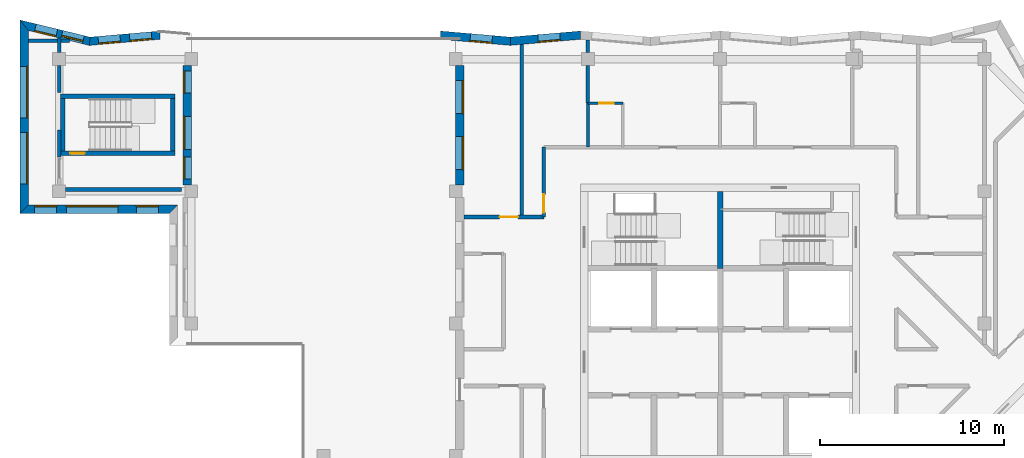
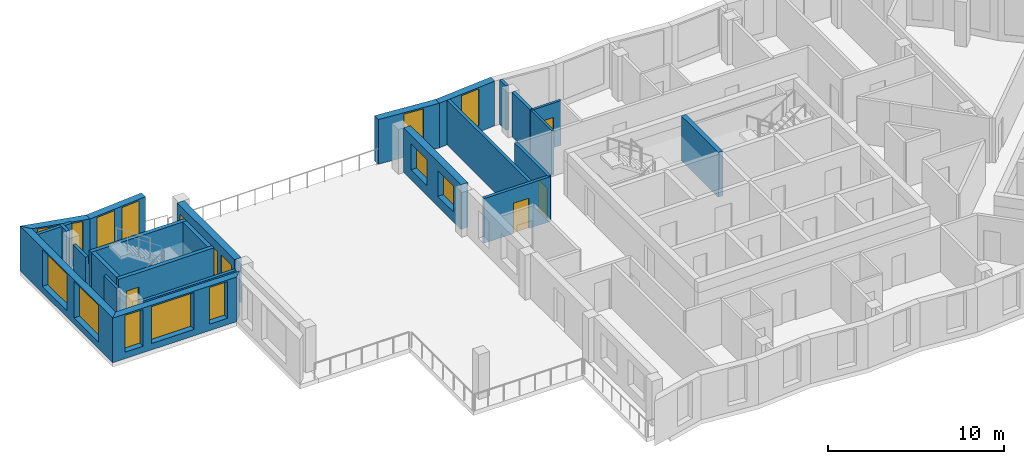
# One storey, part 5 of 12: 25 walls, 16 windows, 4 doors, 20 openings.
"""IFC4 building model written with IfcOpenShell, lengths in metres."""

from ifc_helpers import new_model, si_unit, direction, frame, frame_2d, origin, place, context, subcontext, project, spatial, polyline, rectangle, outline, extrude, material, layer, layer_set, type_object, element, fill, save


model = new_model("IFC4")

# Units and contexts
model_context = context("Model", 3, precision=1e-05, world=origin(), true_north=direction((0.0, 1.0)))
body_context = subcontext(model_context, "Body", "Model", "MODEL_VIEW")
ifc_project = project(units=[si_unit("LENGTHUNIT", "METRE"), si_unit("AREAUNIT", "SQUARE_METRE"), si_unit("VOLUMEUNIT", "CUBIC_METRE"), si_unit("PLANEANGLEUNIT", "RADIAN"), si_unit("MASSUNIT", "GRAM", prefix="KILO")], contexts=[model_context])

# Site, building, storey
site_placement = place(None, origin())
site = spatial("IfcSite", under=ifc_project, at=site_placement, CompositionType="ELEMENT")
building_placement = place(site_placement, origin())
building = spatial("IfcBuilding", under=site, at=building_placement, Name="Windrow Commons", CompositionType="ELEMENT")
storey_placement = place(building_placement, frame((0.0, 0.0, 247.2)))
storey = spatial("IfcBuildingStorey", under=building, at=storey_placement, Name="L67", CompositionType="ELEMENT", Elevation=247.2)

# Wall, opening, window
ifc_material_1 = material(Name="Brick masonry, red clay brick", Category="masonry")
ifc_layer_1 = layer(ifc_material_1, 0.45)
ifc_layer_set_1 = layer_set([ifc_layer_1], Name="Brick facade wall 450")
wall_type_1 = type_object("IfcWallType", Name="Brick facade wall 450", PredefinedType="SOLIDWALL", material=ifc_layer_set_1)
wall_1_placement = place(storey_placement, frame((57.1913, 73.3042, 0.0), z_axis=(0.0, 0.0, 1.0), x_axis=(-0.9962798769, -0.0861766033, 0.0)))
wall_1 = element("IfcWall", 1, at=wall_1_placement, inside=storey, type_object=wall_type_1, Name="Brick facade wall L67 23", PredefinedType="SOLIDWALL", context=body_context, shape_type="SweptSolid", body=[
    extrude(outline(polyline([(-0.0195, -0.225), (3.8099, -0.225), (3.8489, 0.225), (0.0195, 0.225), (-0.0195, -0.225)])), origin(), (0.0, 0.0, 1.0), 3.1),
])
opening_1_placement = place(wall_1_placement, frame((1.1114, 0.0, 0.45)))
opening_1 = element("IfcOpeningElement", 2, at=opening_1_placement, cuts=wall_1, Name="Opening W7F", PredefinedType="OPENING", context=body_context, shape_type="SweptSolid", body=[
    extrude(rectangle(XDim=1.2, YDim=2.55, at=frame_2d((0.6, 1.275))), frame((0.0, 0.235, 0.0), z_axis=(0.0, -1.0, 0.0), x_axis=(1.0, 0.0, 0.0)), (0.0, 0.0, 1.0), 0.47),
])
ifc_material_2 = material(Name="Clear float glass in anodised aluminium frame", Category="aluminium")
window_type_1 = type_object("IfcWindowType", Name="Window W7 notch 1200x2550", PartitioningType="SINGLE_PANEL", PredefinedType="WINDOW", material=ifc_material_2)
window_1_placement = place(opening_1_placement, origin())
window_1 = element("IfcWindow", 3, at=window_1_placement, inside=storey, type_object=window_type_1, Name="Window L67 23.1", OverallHeight=2.55, OverallWidth=1.2, PartitioningType="SINGLE_PANEL", PredefinedType="WINDOW", context=body_context, shape_type="SweptSolid", body=[
    extrude(rectangle(XDim=1.2, YDim=2.55, at=frame_2d((0.6, 1.275))), frame((0.0, 0.205, 0.0), z_axis=(0.0, -1.0, 0.0), x_axis=(1.0, 0.0, 0.0)), (0.0, 0.0, 1.0), 0.06),
])
fill(opening_1, window_1)

wall_2_placement = place(storey_placement, frame((53.3762, 72.9742, 0.0), z_axis=(0.0, 0.0, 1.0), x_axis=(-0.9962800708, 0.0861743613, 0.0)))
wall_2 = element("IfcWall", 4, at=wall_2_placement, inside=storey, type_object=wall_type_1, Name="Brick facade wall L67 24", PredefinedType="SOLIDWALL", context=body_context, shape_type="SweptSolid", body=[
    extrude(outline(polyline([(0.0195, -0.225), (3.8489, -0.225), (3.8099, 0.225), (-0.0195, 0.225), (0.0195, -0.225)])), origin(), (0.0, 0.0, 1.0), 3.1),
])
opening_2_placement = place(wall_2_placement, frame((0.9936, 0.0, 0.45)))
opening_2 = element("IfcOpeningElement", 5, at=opening_2_placement, cuts=wall_2, Name="Opening W7F", PredefinedType="OPENING", context=body_context, shape_type="SweptSolid", body=[
    extrude(rectangle(XDim=1.2, YDim=2.55, at=frame_2d((0.6, 1.275))), frame((0.0, 0.235, 0.0), z_axis=(0.0, -1.0, 0.0), x_axis=(1.0, 0.0, 0.0)), (0.0, 0.0, 1.0), 0.47),
])
window_2_placement = place(opening_2_placement, origin())
window_2 = element("IfcWindow", 6, at=window_2_placement, inside=storey, type_object=window_type_1, Name="Window L67 24.1", OverallHeight=2.55, OverallWidth=1.2, PartitioningType="SINGLE_PANEL", PredefinedType="WINDOW", context=body_context, shape_type="SweptSolid", body=[
    extrude(rectangle(XDim=1.2, YDim=2.55, at=frame_2d((0.6, 1.275))), frame((0.0, 0.205, 0.0), z_axis=(0.0, -1.0, 0.0), x_axis=(1.0, 0.0, 0.0)), (0.0, 0.0, 1.0), 0.06),
])
fill(opening_2, window_2)

# Wall, openings, windows
wall_3_placement = place(storey_placement, frame((34.3003, 73.3042, 0.0), z_axis=(0.0, 0.0, 1.0), x_axis=(-0.9962799901, -0.0861752946, 0.0)))
wall_3 = element("IfcWall", 7, at=wall_3_placement, inside=storey, type_object=wall_type_1, Name="Brick facade wall L67 29", PredefinedType="SOLIDWALL", context=body_context, shape_type="SweptSolid", body=[
    extrude(outline(polyline([(-0.0195, -0.225), (3.8099, -0.225), (3.8838, 0.225), (0.0195, 0.225), (-0.0195, -0.225)])), origin(), (0.0, 0.0, 1.0), 3.1),
])
opening_3_placement = place(wall_3_placement, frame((0.4634, 0.0, 0.45)))
opening_3 = element("IfcOpeningElement", 8, at=opening_3_placement, cuts=wall_3, Name="Opening W7F", PredefinedType="OPENING", context=body_context, shape_type="SweptSolid", body=[
    extrude(rectangle(XDim=1.2, YDim=2.55, at=frame_2d((0.6, 1.275))), frame((0.0, 0.235, 0.0), z_axis=(0.0, -1.0, 0.0), x_axis=(1.0, 0.0, 0.0)), (0.0, 0.0, 1.0), 0.47),
])
opening_4_placement = place(wall_3_placement, frame((2.1772, 0.0, 0.45)))
opening_4 = element("IfcOpeningElement", 9, at=opening_4_placement, cuts=wall_3, Name="Opening W7F", PredefinedType="OPENING", context=body_context, shape_type="SweptSolid", body=[
    extrude(rectangle(XDim=1.2, YDim=2.55, at=frame_2d((0.6, 1.275))), frame((0.0, 0.235, 0.0), z_axis=(0.0, -1.0, 0.0), x_axis=(1.0, 0.0, 0.0)), (0.0, 0.0, 1.0), 0.47),
])
window_3_placement = place(opening_3_placement, origin())
window_3 = element("IfcWindow", 10, at=window_3_placement, inside=storey, type_object=window_type_1, Name="Window L67 29.1", OverallHeight=2.55, OverallWidth=1.2, PartitioningType="SINGLE_PANEL", PredefinedType="WINDOW", context=body_context, shape_type="SweptSolid", body=[
    extrude(rectangle(XDim=1.2, YDim=2.55, at=frame_2d((0.6, 1.275))), frame((0.0, 0.205, 0.0), z_axis=(0.0, -1.0, 0.0), x_axis=(1.0, 0.0, 0.0)), (0.0, 0.0, 1.0), 0.06),
])
fill(opening_3, window_3)
window_4_placement = place(opening_4_placement, origin())
window_4 = element("IfcWindow", 11, at=window_4_placement, inside=storey, type_object=window_type_1, Name="Window L67 29.2", OverallHeight=2.55, OverallWidth=1.2, PartitioningType="SINGLE_PANEL", PredefinedType="WINDOW", context=body_context, shape_type="SweptSolid", body=[
    extrude(rectangle(XDim=1.2, YDim=2.55, at=frame_2d((0.6, 1.275))), frame((0.0, 0.205, 0.0), z_axis=(0.0, -1.0, 0.0), x_axis=(1.0, 0.0, 0.0)), (0.0, 0.0, 1.0), 0.06),
])
fill(opening_4, window_4)

wall_4_placement = place(storey_placement, frame((30.4678, 72.9727, 0.0), z_axis=(0.0, 0.0, 1.0), x_axis=(-0.9715525461, 0.236824091, 0.0)))
wall_4 = element("IfcWall", 12, at=wall_4_placement, inside=storey, type_object=wall_type_1, Name="Brick facade wall L67 30", PredefinedType="SOLIDWALL", context=body_context, shape_type="SweptSolid", body=[
    extrude(outline(polyline([(0.0369, -0.225), (3.9638, -0.225), (3.3909, 0.225), (-0.0369, 0.225), (0.0369, -0.225)])), origin(), (0.0, 0.0, 1.0), 3.1),
])
opening_5_placement = place(wall_4_placement, frame((0.3583, 0.0, 0.45)))
opening_5 = element("IfcOpeningElement", 13, at=opening_5_placement, cuts=wall_4, Name="Opening W7F", PredefinedType="OPENING", context=body_context, shape_type="SweptSolid", body=[
    extrude(rectangle(XDim=1.2, YDim=2.55, at=frame_2d((0.6, 1.275))), frame((0.0, 0.235, 0.0), z_axis=(0.0, -1.0, 0.0), x_axis=(1.0, 0.0, 0.0)), (0.0, 0.0, 1.0), 0.47),
])
opening_6_placement = place(wall_4_placement, frame((1.8538, 0.0, 0.45)))
opening_6 = element("IfcOpeningElement", 14, at=opening_6_placement, cuts=wall_4, Name="Opening W7F", PredefinedType="OPENING", context=body_context, shape_type="SweptSolid", body=[
    extrude(rectangle(XDim=1.2, YDim=2.55, at=frame_2d((0.6, 1.275))), frame((0.0, 0.235, 0.0), z_axis=(0.0, -1.0, 0.0), x_axis=(1.0, 0.0, 0.0)), (0.0, 0.0, 1.0), 0.47),
])
window_5_placement = place(opening_5_placement, origin())
window_5 = element("IfcWindow", 15, at=window_5_placement, inside=storey, type_object=window_type_1, Name="Window L67 30.1", OverallHeight=2.55, OverallWidth=1.2, PartitioningType="SINGLE_PANEL", PredefinedType="WINDOW", context=body_context, shape_type="SweptSolid", body=[
    extrude(rectangle(XDim=1.2, YDim=2.55, at=frame_2d((0.6, 1.275))), frame((0.0, 0.105, 0.0), z_axis=(0.0, -1.0, 0.0), x_axis=(1.0, 0.0, 0.0)), (0.0, 0.0, 1.0), 0.06),
])
fill(opening_5, window_5)
window_6_placement = place(opening_6_placement, origin())
window_6 = element("IfcWindow", 16, at=window_6_placement, inside=storey, type_object=window_type_1, Name="Window L67 30.2", OverallHeight=2.55, OverallWidth=1.2, PartitioningType="SINGLE_PANEL", PredefinedType="WINDOW", context=body_context, shape_type="SweptSolid", body=[
    extrude(rectangle(XDim=1.2, YDim=2.55, at=frame_2d((0.6, 1.275))), frame((0.0, 0.205, 0.0), z_axis=(0.0, -1.0, 0.0), x_axis=(1.0, 0.0, 0.0)), (0.0, 0.0, 1.0), 0.06),
])
fill(opening_6, window_6)

wall_5_placement = place(storey_placement, frame((26.895, 73.8436, 0.0), z_axis=(0.0, 0.0, 1.0), x_axis=(0.0, -1.0, 0.0)))
wall_5 = element("IfcWall", 17, at=wall_5_placement, inside=storey, type_object=wall_type_1, Name="Brick facade wall L67 31", PredefinedType="SOLIDWALL", context=body_context, shape_type="SweptSolid", body=[
    extrude(outline(polyline([(-0.2864, -0.225), (10.2436, -0.225), (9.7936, 0.225), (0.2864, 0.225), (-0.2864, -0.225)])), origin(), (0.0, 0.0, 1.0), 3.1),
])
opening_7_placement = place(wall_5_placement, frame((2.2436, 0.0, 0.45)))
opening_7 = element("IfcOpeningElement", 18, at=opening_7_placement, cuts=wall_5, Name="Opening W1V", PredefinedType="OPENING", context=body_context, shape_type="SweptSolid", body=[
    extrude(rectangle(XDim=2.8, YDim=2.55, at=frame_2d((1.4, 1.275))), frame((0.0, 0.235, 0.0), z_axis=(0.0, -1.0, 0.0), x_axis=(1.0, 0.0, 0.0)), (0.0, 0.0, 1.0), 0.47),
])
opening_8_placement = place(wall_5_placement, frame((5.8436, 0.0, 0.45)))
opening_8 = element("IfcOpeningElement", 19, at=opening_8_placement, cuts=wall_5, Name="Opening W1V", PredefinedType="OPENING", context=body_context, shape_type="SweptSolid", body=[
    extrude(rectangle(XDim=2.8, YDim=2.55, at=frame_2d((1.4, 1.275))), frame((0.0, 0.235, 0.0), z_axis=(0.0, -1.0, 0.0), x_axis=(1.0, 0.0, 0.0)), (0.0, 0.0, 1.0), 0.47),
])
ifc_material_3 = material(Name="Clear float glass in anodised aluminium frame", Category="aluminium")
window_type_2 = type_object("IfcWindowType", Name="Window W1V bedroom 2800x2550", PartitioningType="SINGLE_PANEL", PredefinedType="WINDOW", material=ifc_material_3)
window_7_placement = place(opening_7_placement, origin())
window_7 = element("IfcWindow", 20, at=window_7_placement, inside=storey, type_object=window_type_2, Name="Window L67 31.1", OverallHeight=2.55, OverallWidth=2.8, PartitioningType="SINGLE_PANEL", PredefinedType="WINDOW", context=body_context, shape_type="SweptSolid", body=[
    extrude(rectangle(XDim=2.8, YDim=2.55, at=frame_2d((1.4, 1.275))), frame((0.0, 0.205, 0.0), z_axis=(0.0, -1.0, 0.0), x_axis=(1.0, 0.0, 0.0)), (0.0, 0.0, 1.0), 0.06),
])
fill(opening_7, window_7)
window_8_placement = place(opening_8_placement, origin())
window_8 = element("IfcWindow", 21, at=window_8_placement, inside=storey, type_object=window_type_2, Name="Window L67 31.2", OverallHeight=2.55, OverallWidth=2.8, PartitioningType="SINGLE_PANEL", PredefinedType="WINDOW", context=body_context, shape_type="SweptSolid", body=[
    extrude(rectangle(XDim=2.8, YDim=2.55, at=frame_2d((1.4, 1.275))), frame((0.0, 0.205, 0.0), z_axis=(0.0, -1.0, 0.0), x_axis=(1.0, 0.0, 0.0)), (0.0, 0.0, 1.0), 0.06),
])
fill(opening_8, window_8)

wall_6_placement = place(storey_placement, frame((26.895, 63.825, 0.0), z_axis=(0.0, 0.0, 1.0), x_axis=(1.0, 0.0, 0.0)))
wall_6 = element("IfcWall", 22, at=wall_6_placement, inside=storey, type_object=wall_type_1, Name="Brick facade wall L67 32", PredefinedType="SOLIDWALL", context=body_context, shape_type="SweptSolid", body=[
    extrude(outline(polyline([(-0.225, -0.225), (7.905, -0.225), (8.355, 0.225), (0.225, 0.225), (-0.225, -0.225)])), origin(), (0.0, 0.0, 1.0), 3.1),
])
opening_9_placement = place(wall_6_placement, frame((2.305, 0.0, 0.45)))
opening_9 = element("IfcOpeningElement", 23, at=opening_9_placement, cuts=wall_6, Name="Opening W1V", PredefinedType="OPENING", context=body_context, shape_type="SweptSolid", body=[
    extrude(rectangle(XDim=2.8, YDim=2.55, at=frame_2d((1.4, 1.275))), frame((0.0, 0.235, 0.0), z_axis=(0.0, -1.0, 0.0), x_axis=(1.0, 0.0, 0.0)), (0.0, 0.0, 1.0), 0.47),
])
opening_10_placement = place(wall_6_placement, frame((0.565, 0.0, 0.45)))
opening_10 = element("IfcOpeningElement", 24, at=opening_10_placement, cuts=wall_6, Name="Opening W7F", PredefinedType="OPENING", context=body_context, shape_type="SweptSolid", body=[
    extrude(rectangle(XDim=1.2, YDim=2.55, at=frame_2d((0.6, 1.275))), frame((0.0, 0.235, 0.0), z_axis=(0.0, -1.0, 0.0), x_axis=(1.0, 0.0, 0.0)), (0.0, 0.0, 1.0), 0.47),
])
opening_11_placement = place(wall_6_placement, frame((6.1175, 0.0, 0.45)))
opening_11 = element("IfcOpeningElement", 25, at=opening_11_placement, cuts=wall_6, Name="Opening W7F", PredefinedType="OPENING", context=body_context, shape_type="SweptSolid", body=[
    extrude(rectangle(XDim=1.2, YDim=2.55, at=frame_2d((0.6, 1.275))), frame((0.0, 0.235, 0.0), z_axis=(0.0, -1.0, 0.0), x_axis=(1.0, 0.0, 0.0)), (0.0, 0.0, 1.0), 0.47),
])
window_9_placement = place(opening_9_placement, origin())
window_9 = element("IfcWindow", 26, at=window_9_placement, inside=storey, type_object=window_type_2, Name="Window L67 32.1", OverallHeight=2.55, OverallWidth=2.8, PartitioningType="SINGLE_PANEL", PredefinedType="WINDOW", context=body_context, shape_type="SweptSolid", body=[
    extrude(rectangle(XDim=2.8, YDim=2.55, at=frame_2d((1.4, 1.275))), frame((0.0, 0.205, 0.0), z_axis=(0.0, -1.0, 0.0), x_axis=(1.0, 0.0, 0.0)), (0.0, 0.0, 1.0), 0.06),
])
fill(opening_9, window_9)
window_10_placement = place(opening_10_placement, origin())
window_10 = element("IfcWindow", 27, at=window_10_placement, inside=storey, type_object=window_type_1, Name="Window L67 32.2", OverallHeight=2.55, OverallWidth=1.2, PartitioningType="SINGLE_PANEL", PredefinedType="WINDOW", context=body_context, shape_type="SweptSolid", body=[
    extrude(rectangle(XDim=1.2, YDim=2.55, at=frame_2d((0.6, 1.275))), frame((0.0, 0.205, 0.0), z_axis=(0.0, -1.0, 0.0), x_axis=(1.0, 0.0, 0.0)), (0.0, 0.0, 1.0), 0.06),
])
fill(opening_10, window_10)
window_11_placement = place(opening_11_placement, origin())
window_11 = element("IfcWindow", 28, at=window_11_placement, inside=storey, type_object=window_type_1, Name="Window L67 32.3", OverallHeight=2.55, OverallWidth=1.2, PartitioningType="SINGLE_PANEL", PredefinedType="WINDOW", context=body_context, shape_type="SweptSolid", body=[
    extrude(rectangle(XDim=1.2, YDim=2.55, at=frame_2d((0.6, 1.275))), frame((0.0, 0.205, 0.0), z_axis=(0.0, -1.0, 0.0), x_axis=(1.0, 0.0, 0.0)), (0.0, 0.0, 1.0), 0.06),
])
fill(opening_11, window_11)

wall_7_placement = place(storey_placement, frame((35.775, 65.15, 0.0), z_axis=(0.0, 0.0, 1.0), x_axis=(0.0, 1.0, 0.0)))
wall_7 = element("IfcWall", 29, at=wall_7_placement, inside=storey, type_object=wall_type_1, Name="Brick portal return L67 5.2", PredefinedType="SOLIDWALL", context=body_context, shape_type="SweptSolid", body=[
    extrude(rectangle(XDim=6.5, YDim=0.45, at=frame_2d((3.25, 0.0))), origin(), (0.0, 0.0, 1.0), 3.1),
])
opening_12_placement = place(wall_7_placement, frame((0.325, 0.0, 0.6)))
opening_12 = element("IfcOpeningElement", 30, at=opening_12_placement, cuts=wall_7, Name="Opening W7G", PredefinedType="OPENING", context=body_context, shape_type="SweptSolid", body=[
    extrude(rectangle(XDim=1.2, YDim=1.9, at=frame_2d((0.6, 0.95))), frame((0.0, 0.235, 0.0), z_axis=(0.0, -1.0, 0.0), x_axis=(1.0, 0.0, 0.0)), (0.0, 0.0, 1.0), 0.47),
])
opening_13_placement = place(wall_7_placement, frame((1.9375, 0.0, 0.7)))
opening_13 = element("IfcOpeningElement", 31, at=opening_13_placement, cuts=wall_7, Name="Opening W8", PredefinedType="OPENING", context=body_context, shape_type="SweptSolid", body=[
    extrude(rectangle(XDim=1.8, YDim=1.8, at=frame_2d((0.9, 0.9))), frame((0.0, 0.235, 0.0), z_axis=(0.0, -1.0, 0.0), x_axis=(1.0, 0.0, 0.0)), (0.0, 0.0, 1.0), 0.47),
])
opening_14_placement = place(wall_7_placement, frame((5.0, 0.0, 0.6)))
opening_14 = element("IfcOpeningElement", 32, at=opening_14_placement, cuts=wall_7, Name="Opening W7G", PredefinedType="OPENING", context=body_context, shape_type="SweptSolid", body=[
    extrude(rectangle(XDim=1.2, YDim=1.9, at=frame_2d((0.6, 0.95))), frame((0.0, 0.235, 0.0), z_axis=(0.0, -1.0, 0.0), x_axis=(1.0, 0.0, 0.0)), (0.0, 0.0, 1.0), 0.47),
])
ifc_material_4 = material(Name="Clear float glass in anodised aluminium frame", Category="aluminium")
window_type_3 = type_object("IfcWindowType", Name="Window W7 notch 1200x1900", PartitioningType="SINGLE_PANEL", PredefinedType="WINDOW", material=ifc_material_4)
window_12_placement = place(opening_12_placement, origin())
window_12 = element("IfcWindow", 33, at=window_12_placement, inside=storey, type_object=window_type_3, Name="Window L67 portal 5.2.1A", OverallHeight=1.9, OverallWidth=1.2, PartitioningType="SINGLE_PANEL", PredefinedType="WINDOW", context=body_context, shape_type="SweptSolid", body=[
    extrude(rectangle(XDim=1.2, YDim=1.9, at=frame_2d((0.6, 0.95))), frame((0.0, 0.205, 0.0), z_axis=(0.0, -1.0, 0.0), x_axis=(1.0, 0.0, 0.0)), (0.0, 0.0, 1.0), 0.06),
])
fill(opening_12, window_12)
window_13_placement = place(opening_14_placement, origin())
window_13 = element("IfcWindow", 34, at=window_13_placement, inside=storey, type_object=window_type_3, Name="Window L67 portal 5.2.2A", OverallHeight=1.9, OverallWidth=1.2, PartitioningType="SINGLE_PANEL", PredefinedType="WINDOW", context=body_context, shape_type="SweptSolid", body=[
    extrude(rectangle(XDim=1.2, YDim=1.9, at=frame_2d((0.6, 0.95))), frame((0.0, 0.205, 0.0), z_axis=(0.0, -1.0, 0.0), x_axis=(1.0, 0.0, 0.0)), (0.0, 0.0, 1.0), 0.06),
])
fill(opening_14, window_13)
ifc_material_5 = material(Name="Clear float glass in anodised aluminium frame", Category="aluminium")
window_type_4 = type_object("IfcWindowType", Name="Window W8 portal 1800x1800", PartitioningType="SINGLE_PANEL", PredefinedType="WINDOW", material=ifc_material_5)
window_14_placement = place(opening_13_placement, origin())
window_14 = element("IfcWindow", 35, at=window_14_placement, inside=storey, type_object=window_type_4, Name="Window L67 portal 5.2.1B", OverallHeight=1.8, OverallWidth=1.8, PartitioningType="SINGLE_PANEL", PredefinedType="WINDOW", context=body_context, shape_type="SweptSolid", body=[
    extrude(rectangle(XDim=1.8, YDim=1.8, at=frame_2d((0.9, 0.9))), frame((0.0, 0.205, 0.0), z_axis=(0.0, -1.0, 0.0), x_axis=(1.0, 0.0, 0.0)), (0.0, 0.0, 1.0), 0.06),
])
fill(opening_13, window_14)

wall_8_placement = place(storey_placement, frame((50.625, 71.65, 0.0), z_axis=(0.0, 0.0, 1.0), x_axis=(0.0, -1.0, 0.0)))
wall_8 = element("IfcWall", 36, at=wall_8_placement, inside=storey, type_object=wall_type_1, Name="Brick portal return L67 13", PredefinedType="SOLIDWALL", context=body_context, shape_type="SweptSolid", body=[
    extrude(rectangle(XDim=6.5, YDim=0.45, at=frame_2d((3.25, 0.0))), origin(), (0.0, 0.0, 1.0), 3.1),
])
opening_15_placement = place(wall_8_placement, frame((0.825, 0.0, 0.7)))
opening_15 = element("IfcOpeningElement", 37, at=opening_15_placement, cuts=wall_8, Name="Opening W8", PredefinedType="OPENING", context=body_context, shape_type="SweptSolid", body=[
    extrude(rectangle(XDim=1.8, YDim=1.8, at=frame_2d((0.9, 0.9))), frame((0.0, 0.235, 0.0), z_axis=(0.0, -1.0, 0.0), x_axis=(1.0, 0.0, 0.0)), (0.0, 0.0, 1.0), 0.47),
])
opening_16_placement = place(wall_8_placement, frame((3.875, 0.0, 0.7)))
opening_16 = element("IfcOpeningElement", 38, at=opening_16_placement, cuts=wall_8, Name="Opening W8", PredefinedType="OPENING", context=body_context, shape_type="SweptSolid", body=[
    extrude(rectangle(XDim=1.8, YDim=1.8, at=frame_2d((0.9, 0.9))), frame((0.0, 0.235, 0.0), z_axis=(0.0, -1.0, 0.0), x_axis=(1.0, 0.0, 0.0)), (0.0, 0.0, 1.0), 0.47),
])
window_15_placement = place(opening_15_placement, origin())
window_15 = element("IfcWindow", 39, at=window_15_placement, inside=storey, type_object=window_type_4, Name="Window L67 portal 13.1.1", OverallHeight=1.8, OverallWidth=1.8, PartitioningType="SINGLE_PANEL", PredefinedType="WINDOW", context=body_context, shape_type="SweptSolid", body=[
    extrude(rectangle(XDim=1.8, YDim=1.8, at=frame_2d((0.9, 0.9))), frame((0.0, 0.205, 0.0), z_axis=(0.0, -1.0, 0.0), x_axis=(1.0, 0.0, 0.0)), (0.0, 0.0, 1.0), 0.06),
])
fill(opening_15, window_15)
window_16_placement = place(opening_16_placement, origin())
window_16 = element("IfcWindow", 40, at=window_16_placement, inside=storey, type_object=window_type_4, Name="Window L67 portal 13.1.2", OverallHeight=1.8, OverallWidth=1.8, PartitioningType="SINGLE_PANEL", PredefinedType="WINDOW", context=body_context, shape_type="SweptSolid", body=[
    extrude(rectangle(XDim=1.8, YDim=1.8, at=frame_2d((0.9, 0.9))), frame((0.0, 0.205, 0.0), z_axis=(0.0, -1.0, 0.0), x_axis=(1.0, 0.0, 0.0)), (0.0, 0.0, 1.0), 0.06),
])
fill(opening_16, window_16)

# Wall
ifc_material_6 = material(Name="Blockwork partition", Category="masonry")
ifc_layer_2 = layer(ifc_material_6, 0.2)
ifc_layer_set_2 = layer_set([ifc_layer_2], Name="IW-CORRIDOR-200")
wall_type_2 = type_object("IfcWallType", Name="IW-CORRIDOR-200", PredefinedType="PARTITIONING", material=ifc_layer_set_2)
wall_9_placement = place(storey_placement, frame((29.15, 64.9, 0.0), z_axis=(0.0, 0.0, 1.0), x_axis=(1.0, 0.0, 0.0)))
element("IfcWall", 41, at=wall_9_placement, inside=storey, type_object=wall_type_2, Name="W-L67-W014", PredefinedType="PARTITIONING", context=body_context, shape_type="SweptSolid", body=[
    extrude(rectangle(XDim=6.32, YDim=0.2, at=frame_2d((3.16, 0.0))), origin(), (0.0, 0.0, 1.0), 2.6),
])

# Wall, opening, door
wall_10_placement = place(storey_placement, frame((50.85, 63.4, 0.0), z_axis=(0.0, 0.0, 1.0), x_axis=(1.0, 0.0, 0.0)))
wall_10 = element("IfcWall", 42, at=wall_10_placement, inside=storey, type_object=wall_type_2, Name="W-L67-W028", PredefinedType="PARTITIONING", context=body_context, shape_type="SweptSolid", body=[
    extrude(rectangle(XDim=4.35, YDim=0.2, at=frame_2d((2.175, 0.0))), origin(), (0.0, 0.0, 1.0), 3.1),
])
opening_17_placement = place(wall_10_placement, frame((1.9457, 0.0, 0.0)))
opening_17 = element("IfcOpeningElement", 43, at=opening_17_placement, cuts=wall_10, Name="Opening D310F", PredefinedType="OPENING", context=body_context, shape_type="SweptSolid", body=[
    extrude(rectangle(XDim=1.0, YDim=2.1, at=frame_2d((0.5, 1.05))), frame((0.0, 0.11, 0.0), z_axis=(0.0, -1.0, 0.0), x_axis=(1.0, 0.0, 0.0)), (0.0, 0.0, 1.0), 0.22),
])
ifc_material_7 = material(Name="Timber door leaf", Category="wood")
door_type_1 = type_object("IfcDoorType", Name="DT-AMENITY-1000", OperationType="SINGLE_SWING_LEFT", PredefinedType="DOOR", material=ifc_material_7)
door_1_placement = place(opening_17_placement, origin())
door_1 = element("IfcDoor", 44, at=door_1_placement, inside=storey, type_object=door_type_1, Name="D-L67-D009", OperationType="SINGLE_SWING_RIGHT", OverallHeight=2.1, OverallWidth=1.0, PredefinedType="DOOR", context=body_context, shape_type="SweptSolid", body=[
    extrude(rectangle(XDim=1.0, YDim=2.1, at=frame_2d((0.5, 1.05))), frame((0.0, 0.025, 0.0), z_axis=(0.0, -1.0, 0.0), x_axis=(1.0, 0.0, 0.0)), (0.0, 0.0, 1.0), 0.05),
])
fill(opening_17, door_1)

wall_11_placement = place(storey_placement, frame((55.2, 63.402, 0.0), z_axis=(0.0, 0.0, 1.0), x_axis=(0.0, 1.0, 0.0)))
wall_11 = element("IfcWall", 45, at=wall_11_placement, inside=storey, type_object=wall_type_2, Name="W-L67-W033", PredefinedType="PARTITIONING", context=body_context, shape_type="SweptSolid", body=[
    extrude(rectangle(XDim=3.798, YDim=0.2, at=frame_2d((1.899, 0.0))), origin(), (0.0, 0.0, 1.0), 3.1),
])
opening_18_placement = place(wall_11_placement, frame((0.2313, 0.0, 0.0)))
opening_18 = element("IfcOpeningElement", 46, at=opening_18_placement, cuts=wall_11, Name="Opening D310F", PredefinedType="OPENING", context=body_context, shape_type="SweptSolid", body=[
    extrude(rectangle(XDim=1.0, YDim=2.1, at=frame_2d((0.5, 1.05))), frame((0.0, 0.11, 0.0), z_axis=(0.0, -1.0, 0.0), x_axis=(1.0, 0.0, 0.0)), (0.0, 0.0, 1.0), 0.22),
])
door_2_placement = place(opening_18_placement, origin())
door_2 = element("IfcDoor", 47, at=door_2_placement, inside=storey, type_object=door_type_1, Name="D-L67-D010", OperationType="SINGLE_SWING_LEFT", OverallHeight=2.1, OverallWidth=1.0, PredefinedType="DOOR", context=body_context, shape_type="SweptSolid", body=[
    extrude(rectangle(XDim=1.0, YDim=2.1, at=frame_2d((0.5, 1.05))), frame((0.0, 0.025, 0.0), z_axis=(0.0, -1.0, 0.0), x_axis=(1.0, 0.0, 0.0)), (0.0, 0.0, 1.0), 0.05),
])
fill(opening_18, door_2)

# Walls
wall_12_placement = place(storey_placement, frame((28.8, 68.13, 0.0), z_axis=(0.0, 0.0, 1.0), x_axis=(0.0, -1.0, 0.0)))
element("IfcWall", 48, at=wall_12_placement, inside=storey, type_object=wall_type_2, Name="W-L67-W110", PredefinedType="PARTITIONING", context=body_context, shape_type="SweptSolid", body=[
    extrude(rectangle(XDim=1.474, YDim=0.2, at=frame_2d((0.737, 0.0))), origin(), (0.0, 0.0, 1.0), 2.6),
])
ifc_material_8 = material(Name="Blockwork partition", Category="masonry")
ifc_layer_3 = layer(ifc_material_8, 0.15)
ifc_layer_set_3 = layer_set([ifc_layer_3], Name="IW-ENSUITE-150")
wall_type_3 = type_object("IfcWallType", Name="IW-ENSUITE-150", PredefinedType="PARTITIONING", material=ifc_layer_set_3)
wall_13_placement = place(storey_placement, frame((57.6, 67.2, 0.0), z_axis=(0.0, 0.0, 1.0), x_axis=(0.0, 1.0, 0.0)))
element("IfcWall", 49, at=wall_13_placement, inside=storey, type_object=wall_type_3, Name="W-L67-W050", PredefinedType="PARTITIONING", context=body_context, shape_type="SweptSolid", body=[
    extrude(rectangle(XDim=2.4, YDim=0.15, at=frame_2d((1.2, 0.0))), origin(), (0.0, 0.0, 1.0), 3.1),
])

# Wall, opening, door
wall_14_placement = place(storey_placement, frame((57.6, 69.6, 0.0), z_axis=(0.0, 0.0, 1.0), x_axis=(1.0, 0.0, 0.0)))
wall_14 = element("IfcWall", 50, at=wall_14_placement, inside=storey, type_object=wall_type_3, Name="W-L67-W072", PredefinedType="PARTITIONING", context=body_context, shape_type="SweptSolid", body=[
    extrude(rectangle(XDim=1.9, YDim=0.15, at=frame_2d((0.95, 0.0))), origin(), (0.0, 0.0, 1.0), 3.1),
])
opening_19_placement = place(wall_14_placement, frame((0.6069, 0.0, 0.0)))
opening_19 = element("IfcOpeningElement", 51, at=opening_19_placement, cuts=wall_14, Name="Opening D208N", PredefinedType="OPENING", context=body_context, shape_type="SweptSolid", body=[
    extrude(rectangle(XDim=0.8, YDim=2.1, at=frame_2d((0.4, 1.05))), frame((0.0, 0.085, 0.0), z_axis=(0.0, -1.0, 0.0), x_axis=(1.0, 0.0, 0.0)), (0.0, 0.0, 1.0), 0.17),
])
ifc_material_9 = material(Name="Timber door leaf", Category="wood")
door_type_2 = type_object("IfcDoorType", Name="DT-ENSUITE-800", OperationType="SINGLE_SWING_LEFT", PredefinedType="DOOR", material=ifc_material_9)
door_3_placement = place(opening_19_placement, origin())
door_3 = element("IfcDoor", 52, at=door_3_placement, inside=storey, type_object=door_type_2, Name="D-L67-D014", OperationType="SINGLE_SWING_RIGHT", OverallHeight=2.1, OverallWidth=0.8, PredefinedType="DOOR", context=body_context, shape_type="SweptSolid", body=[
    extrude(rectangle(XDim=0.8, YDim=2.1, at=frame_2d((0.4, 1.05))), frame((0.0, 0.025, 0.0), z_axis=(0.0, -1.0, 0.0), x_axis=(1.0, 0.0, 0.0)), (0.0, 0.0, 1.0), 0.05),
])
fill(opening_19, door_3)

# Walls
ifc_material_10 = material(Name="Blockwork partition", Category="masonry")
ifc_layer_4 = layer(ifc_material_10, 0.2)
ifc_layer_set_4 = layer_set([ifc_layer_4], Name="IW-PARTY-200")
wall_type_4 = type_object("IfcWallType", Name="IW-PARTY-200", PredefinedType="PARTITIONING", material=ifc_layer_set_4)
wall_15_placement = place(storey_placement, frame((54.0, 63.4, 0.0), z_axis=(0.0, 0.0, 1.0), x_axis=(0.0, 1.0, 0.0)))
element("IfcWall", 53, at=wall_15_placement, inside=storey, type_object=wall_type_4, Name="W-L67-W008", PredefinedType="PARTITIONING", context=body_context, shape_type="SweptSolid", body=[
    extrude(rectangle(XDim=9.4023, YDim=0.2, at=frame_2d((4.7012, 0.0))), origin(), (0.0, 0.0, 1.0), 3.1),
])
wall_16_placement = place(storey_placement, frame((27.12, 73.0, 0.0), z_axis=(0.0, 0.0, 1.0), x_axis=(1.0, 0.0, 0.0)))
element("IfcWall", 54, at=wall_16_placement, inside=storey, type_object=wall_type_4, Name="W-L67-W057", PredefinedType="PARTITIONING", context=body_context, shape_type="SweptSolid", body=[
    extrude(rectangle(XDim=2.2355, YDim=0.2, at=frame_2d((1.1178, 0.0))), origin(), (0.0, 0.0, 1.0), 3.1),
])
wall_17_placement = place(storey_placement, frame((57.6, 69.6, 0.0), z_axis=(0.0, 0.0, 1.0), x_axis=(0.0, 1.0, 0.0)))
element("IfcWall", 55, at=wall_17_placement, inside=storey, type_object=wall_type_4, Name="W-L67-W060", PredefinedType="PARTITIONING", context=body_context, shape_type="SweptSolid", body=[
    extrude(rectangle(XDim=2.05, YDim=0.2, at=frame_2d((1.025, 0.0))), origin(), (0.0, 0.0, 1.0), 3.1),
])
wall_18_placement = place(storey_placement, frame((28.8, 70.194, 0.0), z_axis=(0.0, 0.0, 1.0), x_axis=(0.0, 1.0, 0.0)))
element("IfcWall", 56, at=wall_18_placement, inside=storey, type_object=wall_type_4, Name="W-L67-W076", PredefinedType="PARTITIONING", context=body_context, shape_type="SweptSolid", body=[
    extrude(rectangle(XDim=1.456, YDim=0.2, at=frame_2d((0.728, 0.0))), origin(), (0.0, 0.0, 1.0), 2.6),
])
wall_19_placement = place(storey_placement, frame((28.8, 72.35, 0.0), z_axis=(0.0, 0.0, 1.0), x_axis=(0.0, 1.0, 0.0)))
element("IfcWall", 57, at=wall_19_placement, inside=storey, type_object=wall_type_4, Name="W-L67-W083", PredefinedType="PARTITIONING", context=body_context, shape_type="SweptSolid", body=[
    extrude(rectangle(XDim=0.7976, YDim=0.2, at=frame_2d((0.3988, 0.0))), origin(), (0.0, 0.0, 1.0), 3.1),
])
wall_20_placement = place(storey_placement, frame((57.6, 72.35, 0.0), z_axis=(0.0, 0.0, 1.0), x_axis=(0.0, 1.0, 0.0)))
element("IfcWall", 58, at=wall_20_placement, inside=storey, type_object=wall_type_4, Name="W-L67-W089", PredefinedType="PARTITIONING", context=body_context, shape_type="SweptSolid", body=[
    extrude(rectangle(XDim=0.693, YDim=0.2, at=frame_2d((0.3465, 0.0))), origin(), (0.0, 0.0, 1.0), 3.1),
])

# Wall, opening, door
ifc_material_11 = material(Name="Concrete C40/50", Category="concrete")
ifc_layer_5 = layer(ifc_material_11, 0.25)
ifc_layer_set_5 = layer_set([ifc_layer_5], Name="RC SHAFT WALL 250 C40/50")
wall_type_5 = type_object("IfcWallType", Name="RC SHAFT WALL 250 C40/50", PredefinedType="SOLIDWALL", material=ifc_layer_set_5)
wall_21_placement = place(storey_placement, frame((28.875, 66.875, -0.3), z_axis=(0.0, 0.0, 1.0), x_axis=(1.0, 0.0, 0.0)))
wall_21 = element("IfcWall", 59, at=wall_21_placement, inside=storey, type_object=wall_type_5, Name="Stair enclosure wall L67 S", PredefinedType="SOLIDWALL", context=body_context, shape_type="SweptSolid", body=[
    extrude(rectangle(XDim=6.25, YDim=0.25, at=frame_2d((3.125, 0.0))), origin(), (0.0, 0.0, 1.0), 3.4),
])
opening_20_placement = place(wall_21_placement, frame((0.525, 0.0, 0.3)))
opening_20 = element("IfcOpeningElement", 60, at=opening_20_placement, cuts=wall_21, Name="Opening D23", PredefinedType="OPENING", context=body_context, shape_type="SweptSolid", body=[
    extrude(rectangle(XDim=0.8, YDim=2.1, at=frame_2d((0.4, 1.05))), frame((0.0, 0.135, 0.0), z_axis=(0.0, -1.0, 0.0), x_axis=(1.0, 0.0, 0.0)), (0.0, 0.0, 1.0), 0.27),
])
ifc_material_12 = material(Name="Steel fire door leaf", Category="steel")
door_type_3 = type_object("IfcDoorType", Name="Stair door 800", OperationType="SINGLE_SWING_LEFT", PredefinedType="DOOR", material=ifc_material_12)
door_4_placement = place(opening_20_placement, origin())
door_4 = element("IfcDoor", 61, at=door_4_placement, inside=storey, type_object=door_type_3, Name="Stair door", OperationType="SINGLE_SWING_LEFT", OverallHeight=2.1, OverallWidth=0.8, PredefinedType="DOOR", context=body_context, shape_type="SweptSolid", body=[
    extrude(rectangle(XDim=0.8, YDim=2.1, at=frame_2d((0.4, 1.05))), frame((0.0, 0.025, 0.0), z_axis=(0.0, -1.0, 0.0), x_axis=(1.0, 0.0, 0.0)), (0.0, 0.0, 1.0), 0.05),
])
fill(opening_20, door_4)

# Walls
wall_22_placement = place(storey_placement, frame((28.875, 69.975, -0.3), z_axis=(0.0, 0.0, 1.0), x_axis=(1.0, 0.0, 0.0)))
element("IfcWall", 62, at=wall_22_placement, inside=storey, type_object=wall_type_5, Name="Stair enclosure wall L67 N", PredefinedType="SOLIDWALL", context=body_context, shape_type="SweptSolid", body=[
    extrude(rectangle(XDim=6.25, YDim=0.25, at=frame_2d((3.125, 0.0))), origin(), (0.0, 0.0, 1.0), 3.4),
])
for number, where, z_axis, x_axis, name in (
    (63, (29.0, 67.0, -0.3), (0.0, 0.0, 1.0), (0.0, 1.0, 0.0), "Stair enclosure wall L67 W"),
    (64, (35.0, 67.0, -0.3), (0.0, 0.0, 1.0), (0.0, 1.0, 0.0), "Stair enclosure wall L67 E"),
):
    element("IfcWall", number, at=place(storey_placement, frame(where, z_axis=z_axis, x_axis=x_axis)), inside=storey, type_object=wall_type_5, Name=name, PredefinedType="SOLIDWALL", context=body_context, shape_type="SweptSolid", body=[
        extrude(rectangle(XDim=2.85, YDim=0.25, at=frame_2d((1.425, 0.0))), origin(), (0.0, 0.0, 1.0), 3.4),
    ])
ifc_material_13 = material(Name="Concrete C40/50", Category="concrete")
ifc_layer_6 = layer(ifc_material_13, 0.3)
ifc_layer_set_6 = layer_set([ifc_layer_6], Name="RC SHAFT WALL 300 C40/50")
wall_type_6 = type_object("IfcWallType", Name="RC SHAFT WALL 300 C40/50", PredefinedType="SOLIDWALL", material=ifc_layer_set_6)
wall_23_placement = place(storey_placement, frame((64.8, 60.6, 0.0), z_axis=(0.0, 0.0, 1.0), x_axis=(0.0, 1.0, 0.0)))
element("IfcWall", 65, at=wall_23_placement, inside=storey, type_object=wall_type_6, Name="Core A wall stair-mid", PredefinedType="SOLIDWALL", context=body_context, shape_type="SweptSolid", body=[
    extrude(rectangle(XDim=4.2, YDim=0.3, at=frame_2d((2.1, 0.0))), origin(), (0.0, 0.0, 1.0), 3.1),
])

save(model, "model.ifc")
